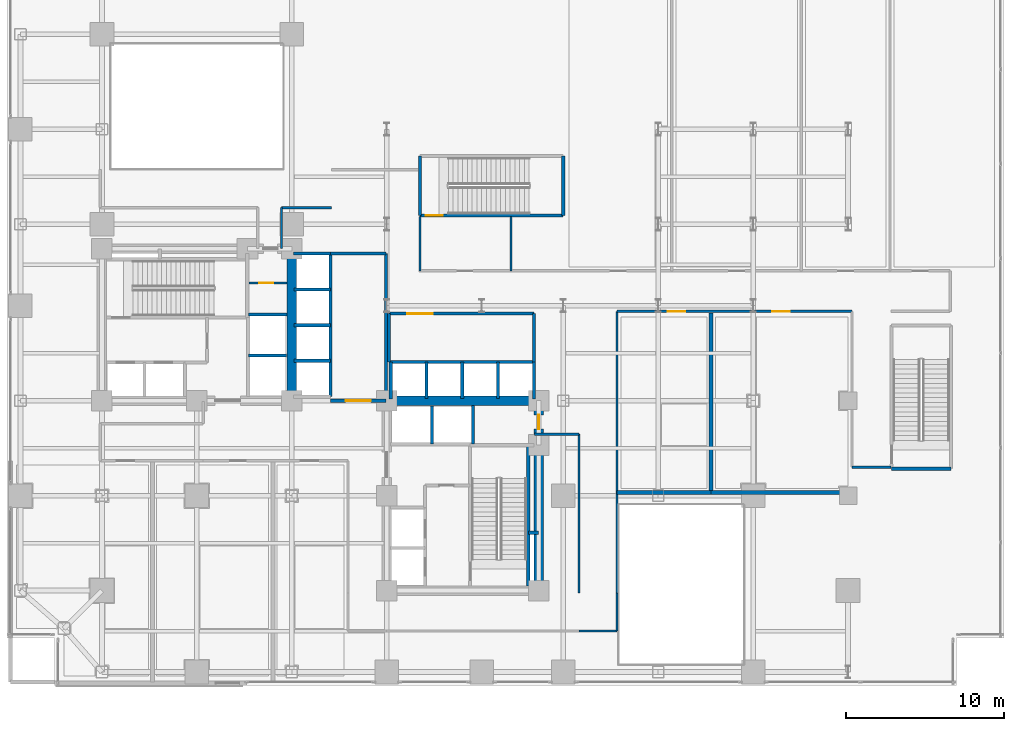
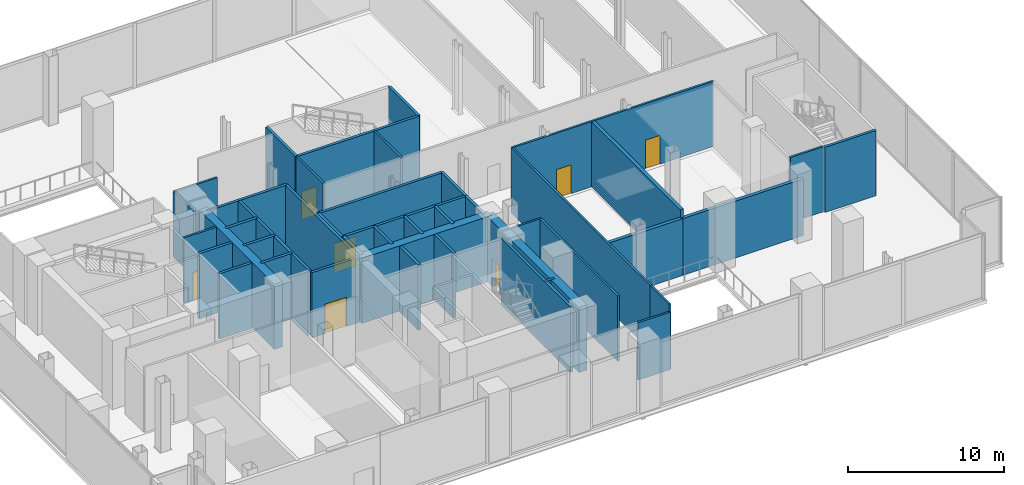
# One storey, part 22 of 28: 45 walls, 7 doors, 7 openings.
"""IFC4 building model written with IfcOpenShell, lengths in metres."""

from ifc_helpers import new_model, si_unit, direction, frame, frame_2d, origin, place, context, subcontext, project, spatial, rectangle, extrude, material, layer, layer_set, type_object, element, fill, save


model = new_model("IFC4")

# Units and contexts
model_context = context("Model", 3, precision=1e-05, world=origin(), true_north=direction((0.0, 1.0)))
body_context = subcontext(model_context, "Body", "Model", "MODEL_VIEW")
ifc_project = project(units=[si_unit("LENGTHUNIT", "METRE"), si_unit("AREAUNIT", "SQUARE_METRE"), si_unit("VOLUMEUNIT", "CUBIC_METRE"), si_unit("PLANEANGLEUNIT", "RADIAN"), si_unit("MASSUNIT", "GRAM", prefix="KILO"), si_unit("THERMODYNAMICTEMPERATUREUNIT", "KELVIN"), si_unit("POWERUNIT", "WATT")], contexts=[model_context])

# Site, building, storey
site_placement = place(None, origin())
site = spatial("IfcSite", under=ifc_project, at=site_placement, CompositionType="ELEMENT")
building_placement = place(site_placement, origin())
building = spatial("IfcBuilding", under=site, at=building_placement, Name="Svarakhadi Broadcast Tower", CompositionType="ELEMENT")
storey_placement = place(building_placement, frame((0.0, 0.0, 11.10009765625)))
storey = spatial("IfcBuildingStorey", under=building, at=storey_placement, Name="L02", CompositionType="ELEMENT", Elevation=11.10009765625)

# Walls
ifc_material_1 = material(Name="Double-Stud Acoustic Studio Partition STC-62", Category="gypsum")
ifc_layer_1 = layer(ifc_material_1, 0.25)
ifc_layer_set_1 = layer_set([ifc_layer_1], Name="Double-Stud Acoustic Studio Partition STC-62")
wall_type_1 = type_object("IfcWallType", Name="Wall_Acoust_250", PredefinedType="PARTITIONING", material=ifc_layer_set_1)
wall_1_placement = place(storey_placement, frame((38.550048828125, 12.199951171875, 0.0), z_axis=(0.0, 0.0, 1.0), x_axis=(1.0, 0.0, 0.0)))
element("IfcWall", 1, at=wall_1_placement, inside=storey, type_object=wall_type_1, Name="L02 Studio A Lighting Rigging Control Gallery Wall", PredefinedType="PARTITIONING", context=body_context, shape_type="SweptSolid", body=[
    extrude(rectangle(XDim=5.949951171875, YDim=0.25, at=frame_2d((2.97509765625, 0.0))), origin(), (0.0, 0.0, 1.0), 4.44189453125),
])
wall_2_placement = place(storey_placement, frame((44.5, 12.199951171875, 0.0), z_axis=(0.0, 0.0, 1.0), x_axis=(0.0, 1.0, 0.0)))
element("IfcWall", 2, at=wall_2_placement, inside=storey, type_object=wall_type_1, Name="L02 Studio A Lighting Rigging Control Gallery Wall", PredefinedType="PARTITIONING", context=body_context, shape_type="SweptSolid", body=[
    extrude(rectangle(XDim=11.35009765625, YDim=0.25, at=frame_2d((5.675048828125, 0.0))), origin(), (0.0, 0.0, 1.0), 5.099853515625),
])
wall_3_placement = place(storey_placement, frame((44.5, 12.199951171875, 0.0), z_axis=(0.0, 0.0, 1.0), x_axis=(1.0, 0.0, 0.0)))
element("IfcWall", 3, at=wall_3_placement, inside=storey, type_object=wall_type_1, Name="L02 Broadcast Dimmer Rack Technical Room Wall", PredefinedType="PARTITIONING", context=body_context, shape_type="SweptSolid", body=[
    extrude(rectangle(XDim=8.89990234375, YDim=0.25, at=frame_2d((4.449951171875, 0.0))), origin(), (0.0, 0.0, 1.0), 4.44189453125),
])
ifc_material_2 = material(Name="Concrete C40/50 (IS 456 M50)", Category="concrete")
ifc_layer_2 = layer(ifc_material_2, 0.199951171875)
ifc_layer_set_2 = layer_set([ifc_layer_2], Name="Concrete C40/50 (IS 456 M50)")
wall_type_2 = type_object("IfcWallType", Name="Wall_Fire_200", PredefinedType="SOLIDWALL", material=ifc_layer_set_2)
wall_4_placement = place(storey_placement, frame((32.93994140625, 9.659912109375, 0.0), z_axis=(0.0, 0.0, 1.0), x_axis=(1.0, 0.0, 0.0)))
element("IfcWall", 4, at=wall_4_placement, inside=storey, type_object=wall_type_2, Name="L02 HV Busduct Riser Shaft North Wall", PredefinedType="SOLIDWALL", context=body_context, shape_type="SweptSolid", body=[
    extrude(rectangle(XDim=0.64013671875, YDim=0.199951171875, at=frame_2d((0.320068359375, 0.0))), origin(), (0.0, 0.0, 1.0), 5.099853515625),
])

# Wall, opening, door
ifc_material_3 = material(Name="Autoclaved Aerated Concrete Blockwork 150 mm", Category="masonry")
ifc_layer_3 = layer(ifc_material_3, 0.14990234375)
ifc_layer_set_3 = layer_set([ifc_layer_3], Name="Autoclaved Aerated Concrete Blockwork 150 mm")
wall_type_3 = type_object("IfcWallType", Name="Wall_Part_150", PredefinedType="PARTITIONING", material=ifc_layer_set_3)
wall_5_placement = place(storey_placement, frame((15.280029296875, 25.43994140625, 0.0), z_axis=(0.0, 0.0, 1.0), x_axis=(1.0, 0.0, 0.0)))
wall_5 = element("IfcWall", 5, at=wall_5_placement, inside=storey, type_object=wall_type_3, Name="L02 West Core Service Split Wall", PredefinedType="PARTITIONING", context=body_context, shape_type="SweptSolid", body=[
    extrude(rectangle(XDim=2.419921875, YDim=0.14990234375, at=frame_2d((1.2099609375, 0.0))), origin(), (0.0, 0.0, 1.0), 5.099853515625),
])
opening_1_placement = place(wall_5_placement, frame((0.64990234375, 0.0, 0.0)))
opening_1 = element("IfcOpeningElement", 6, at=opening_1_placement, cuts=wall_5, Name="Opening D-04", PredefinedType="OPENING", context=body_context, shape_type="SweptSolid", body=[
    extrude(rectangle(XDim=0.89990234375, YDim=2.14990234375, at=frame_2d((0.449951171875, 1.074951171875))), frame((0.0, 0.0849609375, 0.0), z_axis=(0.0, -1.0, 0.0), x_axis=(1.0, 0.0, 0.0)), (0.0, 0.0, 1.0), 0.169921875),
])
ifc_material_4 = material(Name="Galvanised Powder-Coated Fire-Rated Steel Leaf", Category="steel")
door_type_1 = type_object("IfcDoorType", Name="Door_Fire_D04", OperationType="SINGLE_SWING_RIGHT", PredefinedType="DOOR", material=ifc_material_4)
door_1_placement = place(opening_1_placement, origin())
door_1 = element("IfcDoor", 7, at=door_1_placement, inside=storey, type_object=door_type_1, Name="L02 West Core Inner Store Door", OperationType="SINGLE_SWING_RIGHT", OverallHeight=2.14990234375, OverallWidth=0.89990234375, PredefinedType="DOOR", context=body_context, shape_type="SweptSolid", body=[
    extrude(rectangle(XDim=0.89990234375, YDim=2.14990234375, at=frame_2d((0.449951171875, 1.074951171875))), frame((0.0, 0.02490234375, 0.0), z_axis=(0.0, -1.0, 0.0), x_axis=(1.0, 0.0, 0.0)), (0.0, 0.0, 1.0), 0.050048828125),
])
fill(opening_1, door_1)

# Walls
wall_6_placement = place(storey_placement, frame((36.14990234375, 5.85009765625, 0.0), z_axis=(0.0, 0.0, 1.0), x_axis=(0.0, 1.0, 0.0)))
element("IfcWall", 8, at=wall_6_placement, inside=storey, type_object=wall_type_3, Name="L02 Podium Gallery Wall", PredefinedType="PARTITIONING", context=body_context, shape_type="SweptSolid", body=[
    extrude(rectangle(XDim=10.02978515625, YDim=0.14990234375, at=frame_2d((5.014892578125, 0.0))), origin(), (0.0, 0.0, 1.0), 5.099853515625),
])
wall_7_placement = place(storey_placement, frame((36.14990234375, 15.8798828125, 0.0), z_axis=(0.0, 0.0, 1.0), x_axis=(-1.0, 0.0, 0.0)))
element("IfcWall", 9, at=wall_7_placement, inside=storey, type_object=wall_type_3, Name="L02 Podium Gallery Wall", PredefinedType="PARTITIONING", context=body_context, shape_type="SweptSolid", body=[
    extrude(rectangle(XDim=2.809814453125, YDim=0.14990234375, at=frame_2d((1.40478515625, 0.0))), origin(), (0.0, 0.0, 1.0), 5.099853515625),
])
wall_8_placement = place(storey_placement, frame((20.5, 30.199951171875, 0.0), z_axis=(0.0, 0.0, 1.0), x_axis=(-1.0, 0.0, 0.0)))
element("IfcWall", 10, at=wall_8_placement, inside=storey, type_object=wall_type_3, Name="L02 Podium Gallery Wall", PredefinedType="PARTITIONING", context=body_context, shape_type="SweptSolid", body=[
    extrude(rectangle(XDim=3.14990234375, YDim=0.14990234375, at=frame_2d((1.574951171875, 0.0))), origin(), (0.0, 0.0, 1.0), 5.099853515625),
])
wall_9_placement = place(storey_placement, frame((17.35009765625, 30.199951171875, 0.0), z_axis=(0.0, 0.0, 1.0), x_axis=(0.0, -1.0, 0.0)))
element("IfcWall", 11, at=wall_9_placement, inside=storey, type_object=wall_type_3, Name="L02 Podium Gallery Wall", PredefinedType="PARTITIONING", context=body_context, shape_type="SweptSolid", body=[
    extrude(rectangle(XDim=2.579833984375, YDim=0.14990234375, at=frame_2d((1.2900390625, 0.0))), origin(), (0.0, 0.0, 1.0), 5.099853515625),
])
wall_10_placement = place(storey_placement, frame((55.85009765625, 13.800048828125, 0.0), z_axis=(0.0, 0.0, 1.0), x_axis=(-1.0, 0.0, 0.0)))
element("IfcWall", 12, at=wall_10_placement, inside=storey, type_object=wall_type_3, Name="L02 Podium Gallery Wall", PredefinedType="PARTITIONING", context=body_context, shape_type="SweptSolid", body=[
    extrude(rectangle(XDim=2.4501953125, YDim=0.14990234375, at=frame_2d((1.22509765625, 0.0))), origin(), (0.0, 0.0, 1.0), 5.099853515625),
])

# Wall, openings, doors
wall_11_placement = place(storey_placement, frame((53.39990234375, 23.639892578125, 0.0), z_axis=(0.0, 0.0, 1.0), x_axis=(-1.0, 0.0, 0.0)))
wall_11 = element("IfcWall", 13, at=wall_11_placement, inside=storey, type_object=wall_type_3, Name="L02 Podium Gallery Wall", PredefinedType="PARTITIONING", context=body_context, shape_type="SweptSolid", body=[
    extrude(rectangle(XDim=14.849853515625, YDim=0.14990234375, at=frame_2d((7.4248046875, 0.0))), origin(), (0.0, 0.0, 1.0), 5.099853515625),
])
opening_2_placement = place(wall_11_placement, frame((10.530029296875, 0.0, 0.0)))
opening_2 = element("IfcOpeningElement", 14, at=opening_2_placement, cuts=wall_11, Name="Opening D-10", PredefinedType="OPENING", context=body_context, shape_type="SweptSolid", body=[
    extrude(rectangle(XDim=1.10009765625, YDim=2.25, at=frame_2d((0.550048828125, 1.125))), frame((0.0, 0.0849609375, 0.0), z_axis=(0.0, -1.0, 0.0), x_axis=(1.0, 0.0, 0.0)), (0.0, 0.0, 1.0), 0.169921875),
])
opening_3_placement = place(wall_11_placement, frame((3.949951171875, 0.0, 0.0)))
opening_3 = element("IfcOpeningElement", 15, at=opening_3_placement, cuts=wall_11, Name="Opening D-10", PredefinedType="OPENING", context=body_context, shape_type="SweptSolid", body=[
    extrude(rectangle(XDim=1.10009765625, YDim=2.25, at=frame_2d((0.550048828125, 1.125))), frame((0.0, 0.0849609375, 0.0), z_axis=(0.0, -1.0, 0.0), x_axis=(1.0, 0.0, 0.0)), (0.0, 0.0, 1.0), 0.169921875),
])
ifc_material_5 = material(Name="Solid-Core Teak Veneer Acoustic Timber Leaf", Category="wood")
door_type_2 = type_object("IfcDoorType", Name="Door_Acoust_D10", OperationType="SINGLE_SWING_LEFT", PredefinedType="DOOR", material=ifc_material_5)
door_2_placement = place(opening_2_placement, origin())
door_2 = element("IfcDoor", 16, at=door_2_placement, inside=storey, type_object=door_type_2, Name="L02 Studio A Lighting Rigging Control Gallery Door", OperationType="SINGLE_SWING_LEFT", OverallHeight=2.25, OverallWidth=1.10009765625, PredefinedType="DOOR", context=body_context, shape_type="SweptSolid", body=[
    extrude(rectangle(XDim=1.10009765625, YDim=2.25, at=frame_2d((0.550048828125, 1.125))), frame((0.0, 0.02490234375, 0.0), z_axis=(0.0, -1.0, 0.0), x_axis=(1.0, 0.0, 0.0)), (0.0, 0.0, 1.0), 0.050048828125),
])
fill(opening_2, door_2)
door_3_placement = place(opening_3_placement, origin())
door_3 = element("IfcDoor", 17, at=door_3_placement, inside=storey, type_object=door_type_2, Name="L02 Broadcast Dimmer Rack Technical Room Door", OperationType="SINGLE_SWING_LEFT", OverallHeight=2.25, OverallWidth=1.10009765625, PredefinedType="DOOR", context=body_context, shape_type="SweptSolid", body=[
    extrude(rectangle(XDim=1.10009765625, YDim=2.25, at=frame_2d((0.550048828125, 1.125))), frame((0.0, 0.02490234375, 0.0), z_axis=(0.0, -1.0, 0.0), x_axis=(1.0, 0.0, 0.0)), (0.0, 0.0, 1.0), 0.050048828125),
])
fill(opening_3, door_3)

# Walls
wall_12_placement = place(storey_placement, frame((38.550048828125, 23.639892578125, 0.0), z_axis=(0.0, 0.0, 1.0), x_axis=(0.0, -1.0, 0.0)))
element("IfcWall", 18, at=wall_12_placement, inside=storey, type_object=wall_type_3, Name="L02 Podium Gallery Wall", PredefinedType="PARTITIONING", context=body_context, shape_type="SweptSolid", body=[
    extrude(rectangle(XDim=17.789794921875, YDim=0.14990234375, at=frame_2d((8.89501953125, 0.0))), origin(), (0.0, 0.0, 1.0), 5.099853515625),
])
wall_13_placement = place(storey_placement, frame((38.550048828125, 5.85009765625, 0.0), z_axis=(0.0, 0.0, 1.0), x_axis=(0.0, -1.0, 0.0)))
element("IfcWall", 19, at=wall_13_placement, inside=storey, type_object=wall_type_3, Name="L02 Podium Gallery Wall", PredefinedType="PARTITIONING", context=body_context, shape_type="SweptSolid", body=[
    extrude(rectangle(XDim=2.400146484375, YDim=0.14990234375, at=frame_2d((1.2001953125, 0.0))), origin(), (0.0, 0.0, 1.0), 5.099853515625),
])
wall_14_placement = place(storey_placement, frame((38.550048828125, 3.449951171875, 0.0), z_axis=(0.0, 0.0, 1.0), x_axis=(-1.0, 0.0, 0.0)))
element("IfcWall", 20, at=wall_14_placement, inside=storey, type_object=wall_type_3, Name="L02 Podium Gallery Wall", PredefinedType="PARTITIONING", context=body_context, shape_type="SweptSolid", body=[
    extrude(rectangle(XDim=2.400146484375, YDim=0.14990234375, at=frame_2d((1.2001953125, 0.0))), origin(), (0.0, 0.0, 1.0), 4.491943359375),
])
for number, where, z_axis, x_axis, name in (
    (21, (26.10009765625, 26.199951171875, 0.0), (0.0, 0.0, 1.0), (0.0, 1.0, 0.0), "L02 Staff Toilet WC Wall"),
    (22, (31.85009765625, 26.199951171875, 0.0), (0.0, 0.0, 1.0), (0.0, 1.0, 0.0), "L02 Staff Toilet WC Wall"),
):
    element("IfcWall", number, at=place(storey_placement, frame(where, z_axis=z_axis, x_axis=x_axis)), inside=storey, type_object=wall_type_3, Name=name, PredefinedType="PARTITIONING", context=body_context, shape_type="SweptSolid", body=[
        extrude(rectangle(XDim=3.449951171875, YDim=0.14990234375, at=frame_2d((1.72509765625, 0.0))), origin(), (0.0, 0.0, 1.0), 5.099853515625),
    ])
ifc_material_6 = material(Name="Concrete C50/60 (IS 456 M60)", Category="concrete")
ifc_layer_4 = layer(ifc_material_6, 0.199951171875)
ifc_layer_set_4 = layer_set([ifc_layer_4], Name="Concrete C50/60 (IS 456 M60)")
wall_type_4 = type_object("IfcWallType", Name="Wall_Shear_200", PredefinedType="SHEAR", material=ifc_layer_set_4)
wall_15_placement = place(storey_placement, frame((32.93994140625, 6.300048828125, 0.0), z_axis=(0.0, 0.0, 1.0), x_axis=(0.0, 1.0, 0.0)))
element("IfcWall", 23, at=wall_15_placement, inside=storey, type_object=wall_type_4, Name="L02 Stair ST-02 East RC Shaft Wall", PredefinedType="SHEAR", context=body_context, shape_type="SweptSolid", body=[
    extrude(rectangle(XDim=8.8798828125, YDim=0.199951171875, at=frame_2d((4.43994140625, 0.0))), origin(), (0.0, 0.0, 1.0), 5.099853515625),
])
wall_16_placement = place(storey_placement, frame((15.25, 20.85009765625, 0.0), z_axis=(0.0, 0.0, 1.0), x_axis=(1.0, 0.0, 0.0)))
element("IfcWall", 24, at=wall_16_placement, inside=storey, type_object=wall_type_4, Name="L02 High-Rise Lift LF-13/14 Divider", PredefinedType="SHEAR", context=body_context, shape_type="SweptSolid", body=[
    extrude(rectangle(XDim=2.39990234375, YDim=0.199951171875, at=frame_2d((1.199951171875, 0.0))), origin(), (0.0, 0.0, 1.0), 5.099853515625),
])
wall_17_placement = place(storey_placement, frame((15.25, 23.449951171875, 0.0), z_axis=(0.0, 0.0, 1.0), x_axis=(1.0, 0.0, 0.0)))
element("IfcWall", 25, at=wall_17_placement, inside=storey, type_object=wall_type_4, Name="L02 High-Rise Lift LF-13/14 North Wall", PredefinedType="SHEAR", context=body_context, shape_type="SweptSolid", body=[
    extrude(rectangle(XDim=2.449951171875, YDim=0.199951171875, at=frame_2d((1.22509765625, 0.0))), origin(), (0.0, 0.0, 1.0), 5.099853515625),
])
wall_18_placement = place(storey_placement, frame((26.85009765625, 15.25, 0.0), z_axis=(0.0, 0.0, 1.0), x_axis=(0.0, 1.0, 0.0)))
element("IfcWall", 26, at=wall_18_placement, inside=storey, type_object=wall_type_4, Name="L02 High-Rise Lift LF-15/16 Divider", PredefinedType="SHEAR", context=body_context, shape_type="SweptSolid", body=[
    extrude(rectangle(XDim=2.39990234375, YDim=0.199951171875, at=frame_2d((1.199951171875, 0.0))), origin(), (0.0, 0.0, 1.0), 5.099853515625),
])
wall_19_placement = place(storey_placement, frame((29.449951171875, 15.25, 0.0), z_axis=(0.0, 0.0, 1.0), x_axis=(0.0, 1.0, 0.0)))
element("IfcWall", 27, at=wall_19_placement, inside=storey, type_object=wall_type_4, Name="L02 High-Rise Lift LF-15/16 East Wall", PredefinedType="SHEAR", context=body_context, shape_type="SweptSolid", body=[
    extrude(rectangle(XDim=2.449951171875, YDim=0.199951171875, at=frame_2d((1.22509765625, 0.0))), origin(), (0.0, 0.0, 1.0), 5.099853515625),
])
wall_20_placement = place(storey_placement, frame((18.10009765625, 27.300048828125, 0.0), z_axis=(0.0, 0.0, 1.0), x_axis=(1.0, 0.0, 0.0)))
element("IfcWall", 28, at=wall_20_placement, inside=storey, type_object=wall_type_4, Name="L02 Bank A North Shaft Wall", PredefinedType="SHEAR", context=body_context, shape_type="SweptSolid", body=[
    extrude(rectangle(XDim=2.349853515625, YDim=0.199951171875, at=frame_2d((1.1748046875, 0.0))), origin(), (0.0, 0.0, 1.0), 5.099853515625),
])
wall_21_placement = place(storey_placement, frame((20.449951171875, 18.25, 0.0), z_axis=(0.0, 0.0, 1.0), x_axis=(0.0, 1.0, 0.0)))
element("IfcWall", 29, at=wall_21_placement, inside=storey, type_object=wall_type_4, Name="L02 Bank A East Landing Wall", PredefinedType="SHEAR", context=body_context, shape_type="SweptSolid", body=[
    extrude(rectangle(XDim=9.050048828125, YDim=0.199951171875, at=frame_2d((4.52490234375, 0.0))), origin(), (0.0, 0.0, 1.0), 5.099853515625),
])
for number, where, z_axis, x_axis, name in (
    (30, (18.14990234375, 20.52001953125, 0.0), (0.0, 0.0, 1.0), (1.0, 0.0, 0.0), "L02 Bank A Divider"),
    (31, (18.14990234375, 22.77001953125, 0.0), (0.0, 0.0, 1.0), (1.0, 0.0, 0.0), "L02 Bank A Divider"),
    (32, (18.14990234375, 25.02001953125, 0.0), (0.0, 0.0, 1.0), (1.0, 0.0, 0.0), "L02 Bank A Divider"),
):
    element("IfcWall", number, at=place(storey_placement, frame(where, z_axis=z_axis, x_axis=x_axis)), inside=storey, type_object=wall_type_4, Name=name, PredefinedType="SHEAR", context=body_context, shape_type="SweptSolid", body=[
        extrude(rectangle(XDim=2.300048828125, YDim=0.199951171875, at=frame_2d((1.14990234375, 0.0))), origin(), (0.0, 0.0, 1.0), 5.099853515625),
    ])

# Wall, opening, door
wall_22_placement = place(storey_placement, frame((20.449951171875, 18.0, 0.0), z_axis=(0.0, 0.0, 1.0), x_axis=(1.0, 0.0, 0.0)))
wall_22 = element("IfcWall", 33, at=wall_22_placement, inside=storey, type_object=wall_type_4, Name="L02 Bank A Lift Hall South Wall", PredefinedType="SHEAR", context=body_context, shape_type="SweptSolid", body=[
    extrude(rectangle(XDim=3.5, YDim=0.199951171875, at=frame_2d((1.75, 0.0))), origin(), (0.0, 0.0, 1.0), 5.099853515625),
])
opening_4_placement = place(wall_22_placement, frame((0.949951171875, 0.0, 0.0)))
opening_4 = element("IfcOpeningElement", 34, at=opening_4_placement, cuts=wall_22, Name="Opening D-05", PredefinedType="OPENING", context=body_context, shape_type="SweptSolid", body=[
    extrude(rectangle(XDim=1.60009765625, YDim=2.300048828125, at=frame_2d((0.800048828125, 1.14990234375))), frame((0.0, 0.10986328125, 0.0), z_axis=(0.0, -1.0, 0.0), x_axis=(1.0, 0.0, 0.0)), (0.0, 0.0, 1.0), 0.219970703125),
])
ifc_material_7 = material(Name="Anodised Bronze Aluminium AA 6063-T6", Category="aluminium")
door_type_3 = type_object("IfcDoorType", Name="Door_Lobby_D05", OperationType="DOUBLE_DOOR_SLIDING", PredefinedType="DOOR", material=ifc_material_7)
door_4_placement = place(opening_4_placement, origin())
door_4 = element("IfcDoor", 35, at=door_4_placement, inside=storey, type_object=door_type_3, Name="L02 Low-Rise Lift Hall Corridor Door", OperationType="DOUBLE_DOOR_SLIDING", OverallHeight=2.300048828125, OverallWidth=1.60009765625, PredefinedType="DOOR", context=body_context, shape_type="SweptSolid", body=[
    extrude(rectangle(XDim=1.60009765625, YDim=2.300048828125, at=frame_2d((0.800048828125, 1.14990234375))), frame((0.0, 0.02490234375, 0.0), z_axis=(0.0, -1.0, 0.0), x_axis=(1.0, 0.0, 0.0)), (0.0, 0.0, 1.0), 0.050048828125),
])
fill(opening_4, door_4)

# Walls
wall_23_placement = place(storey_placement, frame((20.449951171875, 27.300048828125, 0.0), z_axis=(0.0, 0.0, 1.0), x_axis=(1.0, 0.0, 0.0)))
element("IfcWall", 36, at=wall_23_placement, inside=storey, type_object=wall_type_4, Name="L02 Bank A Lift Hall North Wall", PredefinedType="SHEAR", context=body_context, shape_type="SweptSolid", body=[
    extrude(rectangle(XDim=3.5, YDim=0.199951171875, at=frame_2d((1.75, 0.0))), origin(), (0.0, 0.0, 1.0), 5.099853515625),
])
wall_24_placement = place(storey_placement, frame((23.949951171875, 18.0, 0.0), z_axis=(0.0, 0.0, 1.0), x_axis=(0.0, 1.0, 0.0)))
element("IfcWall", 37, at=wall_24_placement, inside=storey, type_object=wall_type_4, Name="L02 Bank A Lift Hall East Wall", PredefinedType="SHEAR", context=body_context, shape_type="SweptSolid", body=[
    extrude(rectangle(XDim=9.300048828125, YDim=0.199951171875, at=frame_2d((4.64990234375, 0.0))), origin(), (0.0, 0.0, 1.0), 5.099853515625),
])
for number, where, z_axis, x_axis, name in (
    (38, (33.300048828125, 18.10009765625, 0.0), (0.0, 0.0, 1.0), (0.0, 1.0, 0.0), "L02 Bank B East Shaft Wall"),
    (39, (24.25, 18.10009765625, 0.0), (0.0, 0.0, 1.0), (0.0, 1.0, 0.0), "L02 Bank B West Shaft Wall"),
):
    element("IfcWall", number, at=place(storey_placement, frame(where, z_axis=z_axis, x_axis=x_axis)), inside=storey, type_object=wall_type_4, Name=name, PredefinedType="SHEAR", context=body_context, shape_type="SweptSolid", body=[
        extrude(rectangle(XDim=2.349853515625, YDim=0.199951171875, at=frame_2d((1.1748046875, 0.0))), origin(), (0.0, 0.0, 1.0), 5.099853515625),
    ])
wall_25_placement = place(storey_placement, frame((24.25, 20.449951171875, 0.0), z_axis=(0.0, 0.0, 1.0), x_axis=(1.0, 0.0, 0.0)))
element("IfcWall", 40, at=wall_25_placement, inside=storey, type_object=wall_type_4, Name="L02 Bank B North Landing Wall", PredefinedType="SHEAR", context=body_context, shape_type="SweptSolid", body=[
    extrude(rectangle(XDim=9.050048828125, YDim=0.199951171875, at=frame_2d((4.52490234375, 0.0))), origin(), (0.0, 0.0, 1.0), 5.099853515625),
])
for number, where, z_axis, x_axis, name in (
    (41, (26.52001953125, 18.14990234375, 0.0), (0.0, 0.0, 1.0), (0.0, 1.0, 0.0), "L02 Bank B Divider"),
    (42, (28.77001953125, 18.14990234375, 0.0), (0.0, 0.0, 1.0), (0.0, 1.0, 0.0), "L02 Bank B Divider"),
    (43, (31.02001953125, 18.14990234375, 0.0), (0.0, 0.0, 1.0), (0.0, 1.0, 0.0), "L02 Bank B Divider"),
):
    element("IfcWall", number, at=place(storey_placement, frame(where, z_axis=z_axis, x_axis=x_axis)), inside=storey, type_object=wall_type_4, Name=name, PredefinedType="SHEAR", context=body_context, shape_type="SweptSolid", body=[
        extrude(rectangle(XDim=2.300048828125, YDim=0.199951171875, at=frame_2d((1.14990234375, 0.0))), origin(), (0.0, 0.0, 1.0), 5.099853515625),
    ])

# Wall, opening, door
wall_26_placement = place(storey_placement, frame((24.14990234375, 23.5, 0.0), z_axis=(0.0, 0.0, 1.0), x_axis=(1.0, 0.0, 0.0)))
wall_26 = element("IfcWall", 44, at=wall_26_placement, inside=storey, type_object=wall_type_4, Name="L02 Bank B Lift Hall North Wall", PredefinedType="SHEAR", context=body_context, shape_type="SweptSolid", body=[
    extrude(rectangle(XDim=9.150146484375, YDim=0.199951171875, at=frame_2d((4.5751953125, 0.0))), origin(), (0.0, 0.0, 1.0), 5.099853515625),
])
opening_5_placement = place(wall_26_placement, frame((1.14990234375, 0.0, 0.0)))
opening_5 = element("IfcOpeningElement", 45, at=opening_5_placement, cuts=wall_26, Name="Opening D-05", PredefinedType="OPENING", context=body_context, shape_type="SweptSolid", body=[
    extrude(rectangle(XDim=1.60009765625, YDim=2.300048828125, at=frame_2d((0.800048828125, 1.14990234375))), frame((0.0, 0.10986328125, 0.0), z_axis=(0.0, -1.0, 0.0), x_axis=(1.0, 0.0, 0.0)), (0.0, 0.0, 1.0), 0.219970703125),
])
door_5_placement = place(opening_5_placement, origin())
door_5 = element("IfcDoor", 46, at=door_5_placement, inside=storey, type_object=door_type_3, Name="L02 Mid-Rise Lift Hall North Corridor Door", OperationType="DOUBLE_DOOR_SLIDING", OverallHeight=2.300048828125, OverallWidth=1.60009765625, PredefinedType="DOOR", context=body_context, shape_type="SweptSolid", body=[
    extrude(rectangle(XDim=1.60009765625, YDim=2.300048828125, at=frame_2d((0.800048828125, 1.14990234375))), frame((0.0, 0.02490234375, 0.0), z_axis=(0.0, -1.0, 0.0), x_axis=(1.0, 0.0, 0.0)), (0.0, 0.0, 1.0), 0.050048828125),
])
fill(opening_5, door_5)

# Walls
for number, where, z_axis, x_axis, name in (
    (47, (33.300048828125, 20.449951171875, 0.0), (0.0, 0.0, 1.0), (0.0, 1.0, 0.0), "L02 Bank B Lift Hall East Wall"),
    (48, (24.14990234375, 20.449951171875, 0.0), (0.0, 0.0, 1.0), (0.0, 1.0, 0.0), "L02 Bank B Lift Hall West Wall"),
):
    element("IfcWall", number, at=place(storey_placement, frame(where, z_axis=z_axis, x_axis=x_axis)), inside=storey, type_object=wall_type_4, Name=name, PredefinedType="SHEAR", context=body_context, shape_type="SweptSolid", body=[
        extrude(rectangle(XDim=3.050048828125, YDim=0.199951171875, at=frame_2d((1.52490234375, 0.0))), origin(), (0.0, 0.0, 1.0), 5.099853515625),
    ])

# Wall, opening, door
wall_27_placement = place(storey_placement, frame((26.10009765625, 29.699951171875, 0.0), z_axis=(0.0, 0.0, 1.0), x_axis=(1.0, 0.0, 0.0)))
wall_27 = element("IfcWall", 49, at=wall_27_placement, inside=storey, type_object=wall_type_4, Name="L02 Stair ST-03 South RC Shaft Wall", PredefinedType="SHEAR", context=body_context, shape_type="SweptSolid", body=[
    extrude(rectangle(XDim=9.0498046875, YDim=0.199951171875, at=frame_2d((4.52490234375, 0.0))), origin(), (0.0, 0.0, 1.0), 5.099853515625),
])
opening_6_placement = place(wall_27_placement, frame((0.35009765625, 0.0, 0.0)))
opening_6 = element("IfcOpeningElement", 50, at=opening_6_placement, cuts=wall_27, Name="Opening D-01", PredefinedType="OPENING", context=body_context, shape_type="SweptSolid", body=[
    extrude(rectangle(XDim=1.10009765625, YDim=2.199951171875, at=frame_2d((0.550048828125, 1.10009765625))), frame((0.0, 0.10986328125, 0.0), z_axis=(0.0, -1.0, 0.0), x_axis=(1.0, 0.0, 0.0)), (0.0, 0.0, 1.0), 0.219970703125),
])
door_type_4 = type_object("IfcDoorType", Name="Door_Stair_D01", OperationType="SINGLE_SWING_LEFT", PredefinedType="DOOR", material=ifc_material_4)
door_6_placement = place(opening_6_placement, origin())
door_6 = element("IfcDoor", 51, at=door_6_placement, inside=storey, type_object=door_type_4, Name="L02 Podium Stair ST-03 Fire Door", OperationType="SINGLE_SWING_LEFT", OverallHeight=2.199951171875, OverallWidth=1.10009765625, PredefinedType="DOOR", context=body_context, shape_type="SweptSolid", body=[
    extrude(rectangle(XDim=1.10009765625, YDim=2.199951171875, at=frame_2d((0.550048828125, 1.10009765625))), frame((0.0, 0.02490234375, 0.0), z_axis=(0.0, -1.0, 0.0), x_axis=(1.0, 0.0, 0.0)), (0.0, 0.0, 1.0), 0.050048828125),
])
fill(opening_6, door_6)

# Walls
for number, where, z_axis, x_axis, name in (
    (52, (26.10009765625, 29.699951171875, 0.0), (0.0, 0.0, 1.0), (0.0, 1.0, 0.0), "L02 Stair ST-03 West RC Shaft Wall"),
    (53, (35.14990234375, 29.699951171875, 0.0), (0.0, 0.0, 1.0), (0.0, 1.0, 0.0), "L02 Stair ST-03 East RC Shaft Wall"),
    (54, (55.89990234375, 13.699951171875, 0.0), (0.0, 0.0, 1.0), (1.0, 0.0, 0.0), "L02 Stair ST-04 South RC Shaft Wall"),
):
    element("IfcWall", number, at=place(storey_placement, frame(where, z_axis=z_axis, x_axis=x_axis)), inside=storey, type_object=wall_type_4, Name=name, PredefinedType="SHEAR", context=body_context, shape_type="SweptSolid", body=[
        extrude(rectangle(XDim=3.760009765625, YDim=0.199951171875, at=frame_2d((1.8798828125, 0.0))), origin(), (0.0, 0.0, 1.0), 5.099853515625),
    ])
ifc_material_8 = material(Name="Concrete C60/75 (IS 456 M70)", Category="concrete")
ifc_layer_5 = layer(ifc_material_8, 0.60009765625)
ifc_layer_set_5 = layer_set([ifc_layer_5], Name="Concrete C60/75 (IS 456 M70)")
wall_type_5 = type_object("IfcWallType", Name="Wall_Shear_600", PredefinedType="SHEAR", material=ifc_layer_set_5)
for number, where, z_axis, x_axis, name in (
    (55, (18.0, 18.0, 0.0), (0.0, 0.0, 1.0), (0.0, 1.0, 0.0), "L02 West Core East Shear Wall"),
    (56, (24.0, 18.0, 0.0), (0.0, 0.0, 1.0), (1.0, 0.0, 0.0), "L02 East Core North Shear Wall"),
):
    element("IfcWall", number, at=place(storey_placement, frame(where, z_axis=z_axis, x_axis=x_axis)), inside=storey, type_object=wall_type_5, Name=name, PredefinedType="SHEAR", context=body_context, shape_type="SweptSolid", body=[
        extrude(rectangle(XDim=9.60009765625, YDim=0.60009765625, at=frame_2d((4.800048828125, 0.0))), origin(), (0.0, 0.0, 1.0), 5.099853515625),
    ])

# Wall, opening, door
wall_28_placement = place(storey_placement, frame((33.60009765625, 6.0, 0.0), z_axis=(0.0, 0.0, 1.0), x_axis=(0.0, 1.0, 0.0)))
wall_28 = element("IfcWall", 57, at=wall_28_placement, inside=storey, type_object=wall_type_5, Name="L02 East Core East Shear Wall", PredefinedType="SHEAR", context=body_context, shape_type="SweptSolid", body=[
    extrude(rectangle(XDim=12.0, YDim=0.60009765625, at=frame_2d((6.0, 0.0))), origin(), (0.0, 0.0, 1.0), 5.099853515625),
])
opening_7_placement = place(wall_28_placement, frame((10.199951171875, 0.0, 0.0)))
opening_7 = element("IfcOpeningElement", 58, at=opening_7_placement, cuts=wall_28, Name="Opening D-03", PredefinedType="OPENING", context=body_context, shape_type="SweptSolid", body=[
    extrude(rectangle(XDim=0.89990234375, YDim=2.14990234375, at=frame_2d((0.449951171875, 1.074951171875))), frame((0.0, 0.31005859375, 0.0), z_axis=(0.0, -1.0, 0.0), x_axis=(1.0, 0.0, 0.0)), (0.0, 0.0, 1.0), 0.6201171875),
])
door_type_5 = type_object("IfcDoorType", Name="Door_Fire_D03", OperationType="SINGLE_SWING_LEFT", PredefinedType="DOOR", material=ifc_material_4)
door_7_placement = place(opening_7_placement, origin())
door_7 = element("IfcDoor", 59, at=door_7_placement, inside=storey, type_object=door_type_5, Name="L02 East Core Service Store Door", OperationType="SINGLE_SWING_LEFT", OverallHeight=2.14990234375, OverallWidth=0.89990234375, PredefinedType="DOOR", context=body_context, shape_type="SweptSolid", body=[
    extrude(rectangle(XDim=0.89990234375, YDim=2.14990234375, at=frame_2d((0.449951171875, 1.074951171875))), frame((0.0, 0.02490234375, 0.0), z_axis=(0.0, -1.0, 0.0), x_axis=(1.0, 0.0, 0.0)), (0.0, 0.0, 1.0), 0.050048828125),
])
fill(opening_7, door_7)

save(model, "model.ifc")
